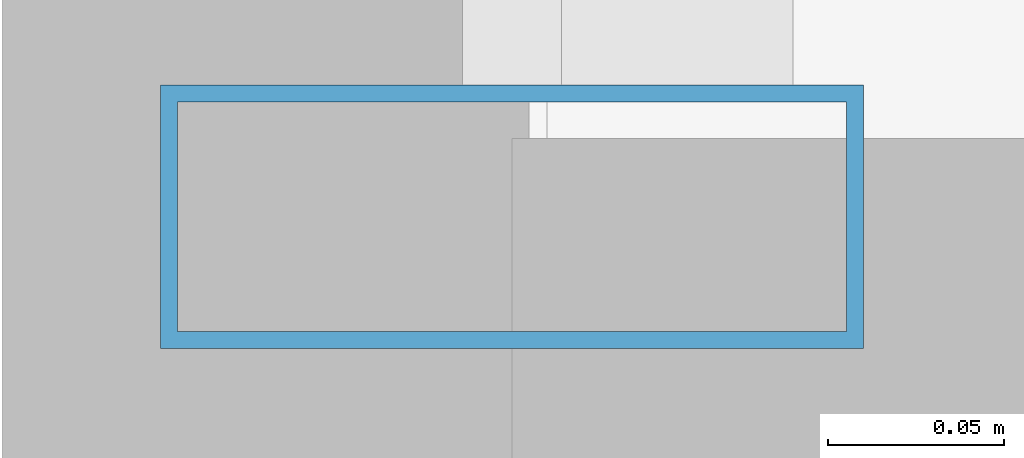
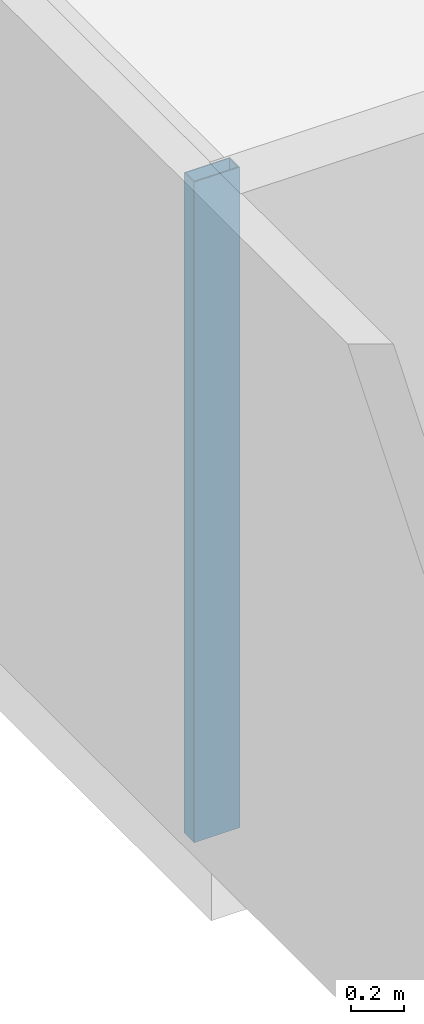
# One storey, part 2 of 30: 1 member, 1 element without a shape of its own.
"""IFC4 building model written with IfcOpenShell, lengths in metres."""

from ifc_helpers import new_model, si_unit, direction, frame, origin, origin_2d, place, context, subcontext, project, spatial, hollow_rectangle, extrude, source, transform, mapped, material, layer, layer_set, material_profile, profile_set, type_object, element, aggregate, save


model = new_model("IFC4")

# Units and contexts
model_context = context("Model", 3, precision=1e-05, world=origin(), true_north=direction((0.0, 1.0)))
body_context = subcontext(model_context, "Body", "Model", "MODEL_VIEW")
ifc_project = project(units=[si_unit("LENGTHUNIT", "METRE"), si_unit("AREAUNIT", "SQUARE_METRE"), si_unit("VOLUMEUNIT", "CUBIC_METRE"), si_unit("PLANEANGLEUNIT", "RADIAN"), si_unit("MASSUNIT", "GRAM", prefix="KILO")], contexts=[model_context])

# Site, building, storey
site_placement = place(None, origin())
site = spatial("IfcSite", under=ifc_project, at=site_placement, CompositionType="ELEMENT")
building_placement = place(site_placement, origin())
building = spatial("IfcBuilding", under=site, at=building_placement, Name="Zarnakvel Exchange Tower", CompositionType="ELEMENT")
storey_placement = place(building_placement, frame((0.0, 0.0, 50.5)))
storey = spatial("IfcBuildingStorey", under=building, at=storey_placement, Name="L13", CompositionType="ELEMENT", Elevation=50.5)

# Curtain wall, member
ifc_material = material(Name="Architectural Bronze Anodised Aluminium", Category="aluminium")
ifc_layer = layer(ifc_material, 0.199951171875)
ifc_layer_set = layer_set([ifc_layer], Name="Architectural Bronze Anodised Aluminium")
curtain_wall_type = type_object("IfcCurtainWallType", Name="CW-04", PredefinedType="NOTDEFINED", material=ifc_layer_set)
curtain_wall_placement = place(storey_placement, origin())
curtain_wall = element("IfcCurtainWall", 1, at=curtain_wall_placement, inside=storey, type_object=curtain_wall_type, Name="L13 Curtain Wall CW-L13-W1 (CW-04)", PredefinedType="NOTDEFINED")
ifc_material_profile = material_profile(ifc_material, hollow_rectangle(XDim=0.199951171875, YDim=0.074951171875, WallThickness=0.0048828125, at=origin_2d()))
ifc_profile_set = profile_set([ifc_material_profile], Name="Architectural Bronze Anodised Aluminium")
member_type = type_object("IfcMemberType", Name="CWM-04", PredefinedType="MULLION", material=ifc_profile_set)
shared_shape = source(origin(), body_context, "Body", "SweptSolid", [
    extrude(hollow_rectangle(XDim=0.199951171875, YDim=0.074951171875, WallThickness=0.0048828125, at=origin_2d()), origin(), (0.0, 0.0, 1.0), 3.054931640625),
])
member_placement = place(storey_placement, frame((-32.4599609375, -14.96240234375, 0.0), z_axis=(0.0, 0.0, 1.0), x_axis=(-1.0, 0.0, 0.0)))
member = element("IfcMember", 2, at=member_placement, type_object=member_type, Name="CW-04 mullion 1", PredefinedType="MULLION", context=body_context, shape_type="MappedRepresentation", body=[
    mapped(shared_shape, transform((0.0, 0.0, 0.0), x_axis=(1.0, 0.0, 0.0), y_axis=(0.0, 1.0, 0.0), z_axis=(0.0, 0.0, 1.0), scale=1.0)),
])
aggregate(curtain_wall, [member])

save(model, "model.ifc")
